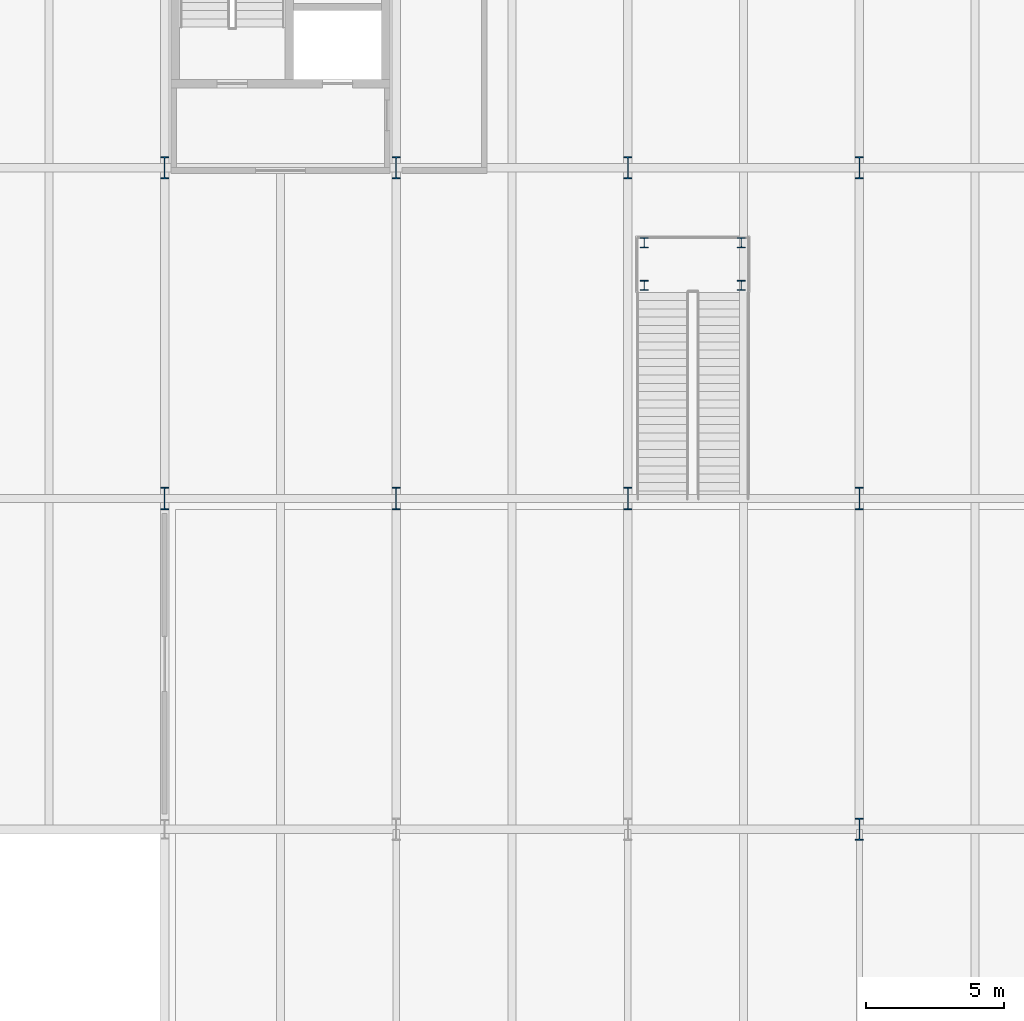
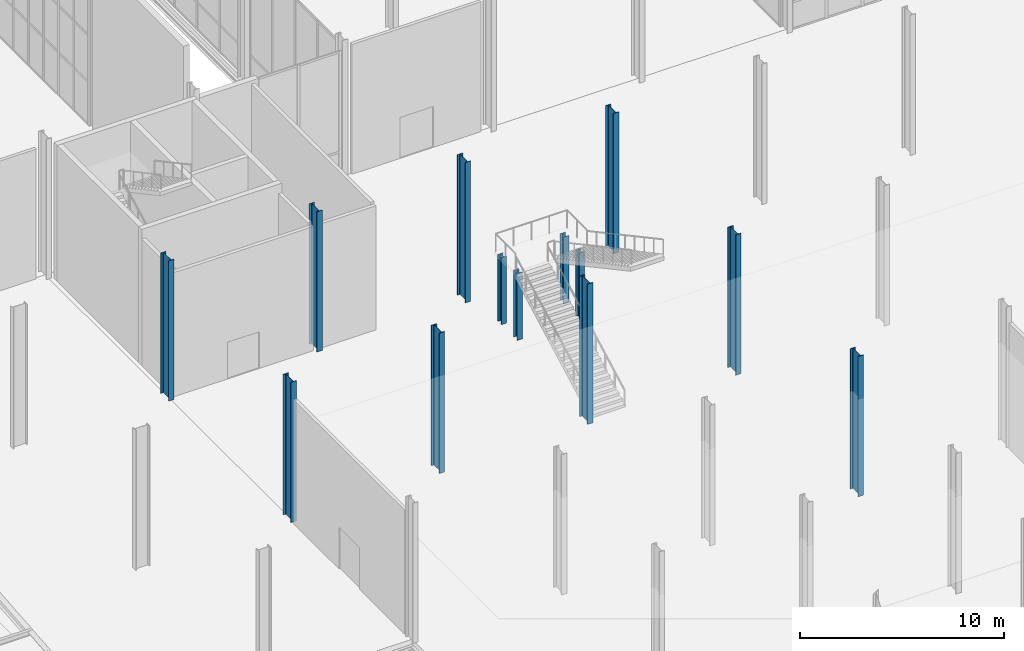
# One storey, part 4 of 131: 13 columns.
"""IFC4 building model written with IfcOpenShell, lengths in metres."""

import ifcopenshell
import ifcopenshell.guid

model = None  # the IFC model being written
_history = None  # IfcOwnerHistory: only IFC2X3 demands one
_inside = {}  # id of a spatial element -> (the spatial element, [elements in it])
_under = {}  # id of a project, library or spatial element -> (it, [spatial elements below it])
_declared = {}  # id of a project -> (the project, [libraries it declares])
_typed = {}  # id of a type object -> (the type object, [elements of that type])
_made_of = {}  # id of a material, layer set ... -> (it, [elements and type objects made of it])


def new_model(schema):
    """Start an empty IFC model of exactly this schema.

    Asked for "IFC4X3", IfcOpenShell would pick the latest addendum, in which some entities
    have other attributes; the version numbers below select the first issue.
    IFC2X3 requires an IfcOwnerHistory on every rooted entity: one is made here for all.
    """
    global model, _history
    if schema == "IFC4X3":
        model = ifcopenshell.file(schema_version=(4, 3, 0, 0))
    else:
        model = ifcopenshell.file(schema=schema)
    _inside.clear()
    _under.clear()
    _declared.clear()
    _typed.clear()
    _made_of.clear()
    _history = None
    if model.schema == "IFC2X3":
        org = make("IfcOrganization", Name="unknown")
        user = make(
            "IfcPersonAndOrganization",
            ThePerson=make("IfcPerson", FamilyName="unknown"),
            TheOrganization=org,
        )
        app = make(
            "IfcApplication",
            ApplicationDeveloper=org,
            Version="unknown",
            ApplicationFullName="unknown",
            ApplicationIdentifier="unknown",
        )
        _history = make(
            "IfcOwnerHistory",
            OwningUser=user,
            OwningApplication=app,
            ChangeAction="ADDED",
            CreationDate=0,
        )
    return model


def make(cls, **values):
    """One entity of the class cls with the attributes given. An attribute that is None is left unset."""
    return model.create_entity(
        cls, **{name: value for name, value in values.items() if value is not None}
    )


def rooted(cls, **values):
    """An entity with a GlobalId (a new one), such as an element, a storey or a relation."""
    return make(cls, GlobalId=ifcopenshell.guid.new(), OwnerHistory=_history, **values)


def si_unit(unit_type, name, prefix=None):
    """IfcSIUnit, for example si_unit("LENGTHUNIT", "METRE", prefix="MILLI")."""
    return make("IfcSIUnit", UnitType=unit_type, Prefix=prefix, Name=name)


def assignment(units):
    """IfcUnitAssignment: the units of a project."""
    return None if units is None else make("IfcUnitAssignment", Units=units)


def point(xyz):
    """IfcCartesianPoint."""
    return None if xyz is None else make("IfcCartesianPoint", Coordinates=xyz)


def direction(xyz):
    """IfcDirection."""
    return None if xyz is None else make("IfcDirection", DirectionRatios=xyz)


def frame(location, z_axis=None, x_axis=None):
    """IfcAxis2Placement3D, a coordinate frame: its origin and axes. An axis left out is left unset."""
    return make(
        "IfcAxis2Placement3D",
        Location=point(location),
        Axis=direction(z_axis),
        RefDirection=direction(x_axis),
    )


def frame_2d(location, x_axis=None):
    """IfcAxis2Placement2D, a coordinate frame in the plane: its origin and x axis."""
    return make(
        "IfcAxis2Placement2D", Location=point(location), RefDirection=direction(x_axis)
    )


def origin():
    """The frame at (0, 0, 0) with its axes left unset."""
    return frame((0.0, 0.0, 0.0))


def origin_2d():
    """The frame at (0, 0) in the plane with its x axis left unset."""
    return frame_2d((0.0, 0.0))


def place(relative_to, where):
    """IfcLocalPlacement: puts the frame where relative to a parent placement (None: the world)."""
    return make(
        "IfcLocalPlacement", PlacementRelTo=relative_to, RelativePlacement=where
    )


def context(
    kind, dimensions, precision=None, world=None, true_north=None, identifier=None
):
    """IfcGeometricRepresentationContext, for example the 3D "Model" context."""
    return make(
        "IfcGeometricRepresentationContext",
        ContextIdentifier=identifier,
        ContextType=kind,
        CoordinateSpaceDimension=dimensions,
        Precision=precision,
        WorldCoordinateSystem=world,
        TrueNorth=true_north,
    )


def subcontext(parent, identifier, kind, view, scale=None):
    """IfcGeometricRepresentationSubContext, for example "Body" below "Model"."""
    return make(
        "IfcGeometricRepresentationSubContext",
        ContextIdentifier=identifier,
        ContextType=kind,
        ParentContext=parent,
        TargetScale=scale,
        TargetView=view,
    )


def project(units=None, contexts=None):
    """IfcProject with its units and contexts."""
    return rooted(
        "IfcProject",
        Name="project",
        RepresentationContexts=contexts,
        UnitsInContext=assignment(units),
    )


def spatial(cls, under=None, at=None, **own):
    """A site, building, storey or space (cls), placed at a placement, below another one or the project."""
    s = rooted(cls, ObjectPlacement=at, **own)
    if under is not None:
        _under.setdefault(under.id(), (under, []))[1].append(s)
    return s


def profile(cls, at=None, kind="AREA", **sizes):
    """A parametric profile (cls). Its sizes go by their IFC names, for example OverallWidth=200.0."""
    return make(cls, ProfileType=kind, Position=at, **sizes)


def i_section(**sizes):
    """IfcIShapeProfileDef."""
    return profile("IfcIShapeProfileDef", **sizes)


def extrude(swept, where, along, depth):
    """IfcExtrudedAreaSolid: the profile swept, set in the frame where, extruded along a direction by depth."""
    return make(
        "IfcExtrudedAreaSolid",
        SweptArea=swept,
        Position=where,
        ExtrudedDirection=direction(along),
        Depth=depth,
    )


def shape(context_of_items, identifier, shape_type, items):
    """IfcShapeRepresentation: the items that make up one representation, for example the "Body"."""
    return make(
        "IfcShapeRepresentation",
        ContextOfItems=context_of_items,
        RepresentationIdentifier=identifier,
        RepresentationType=shape_type,
        Items=items,
    )


def material(Name=None, Category=None):
    """IfcMaterial."""
    return make("IfcMaterial", Name=Name, Category=Category)


def material_profile(
    of_material, cross_section, Name=None, Category=None, Priority=None
):
    """IfcMaterialProfile: a cross section and its material."""
    return make(
        "IfcMaterialProfile",
        Name=Name,
        Material=of_material,
        Profile=cross_section,
        Priority=Priority,
        Category=Category,
    )


def profile_set(profiles, Name=None, composite=None):
    """IfcMaterialProfileSet."""
    return make(
        "IfcMaterialProfileSet",
        Name=Name,
        MaterialProfiles=profiles,
        CompositeProfile=composite,
    )


def made_of(thing, what):
    """Note that an element or type object is made of a material, layer set ...; save() writes the relation."""
    if what is not None:
        _made_of.setdefault(what.id(), (what, []))[1].append(thing)
    return thing


def type_object(cls, material=None, **own):
    """A type object (cls), such as IfcWallType, which elements share."""
    return made_of(rooted(cls, **own), material)


def element(
    cls,
    number,
    at=None,
    inside=None,
    cuts=None,
    type_object=None,
    material=None,
    context=None,
    identifier="Body",
    shape_type=None,
    held_by="IfcProductDefinitionShape",
    body=None,
    shapes=None,
    **own,
):
    """One element of the class cls, such as IfcWall. Its Tag is "e" and its number.

    at: its placement. inside: the storey or other place that contains it. cuts: it is an
    opening in that element (IfcRelVoidsElement). A single representation is given by context,
    identifier, shape_type and body (its items); several are given by shapes. held_by: the class
    of the entity that holds the representations. save() writes the other relations.
    """
    e = rooted(cls, Tag="e%d" % number, ObjectPlacement=at, **own)
    if body is not None:
        shapes = [shape(context, identifier, shape_type, body)]
    if shapes is not None:
        e.Representation = make(held_by, Representations=shapes)
    if inside is not None:
        _inside.setdefault(inside.id(), (inside, []))[1].append(e)
    if cuts is not None:
        rooted(
            "IfcRelVoidsElement", RelatingBuildingElement=cuts, RelatedOpeningElement=e
        )
    if type_object is not None:
        _typed.setdefault(type_object.id(), (type_object, []))[1].append(e)
    return made_of(e, material)


def aggregate(whole, parts):
    """IfcRelAggregates: a whole, such as a stair, and the parts it consists of."""
    return rooted("IfcRelAggregates", RelatingObject=whole, RelatedObjects=parts)


def save(model, path):
    """Write the relations noted so far, then the file.

    IfcRelAggregates (storeys below a building ...), IfcRelContainedInSpatialStructure (elements
    in a storey), IfcRelDefinesByType, IfcRelAssociatesMaterial and IfcRelDeclares: one each for
    every whole, place, type object, material and project.
    """
    for whole, parts in _under.values():
        aggregate(whole, parts)
    for where, things in _inside.values():
        rooted(
            "IfcRelContainedInSpatialStructure",
            RelatedElements=things,
            RelatingStructure=where,
        )
    for kind, things in _typed.values():
        rooted("IfcRelDefinesByType", RelatedObjects=things, RelatingType=kind)
    for what, things in _made_of.values():
        rooted("IfcRelAssociatesMaterial", RelatedObjects=things, RelatingMaterial=what)
    for by, libraries in _declared.values():
        rooted("IfcRelDeclares", RelatingContext=by, RelatedDefinitions=libraries)
    model.write(path)


model = new_model("IFC4")

# Units and contexts
model_context = context("Model", 3, precision=1e-05, world=origin(), true_north=direction((0.0, 1.0)))
body_context = subcontext(model_context, "Body", "Model", "MODEL_VIEW")
ifc_project = project(units=[si_unit("LENGTHUNIT", "METRE"), si_unit("AREAUNIT", "SQUARE_METRE"), si_unit("VOLUMEUNIT", "CUBIC_METRE"), si_unit("PLANEANGLEUNIT", "RADIAN"), si_unit("MASSUNIT", "GRAM", prefix="KILO")], contexts=[model_context])

# Site, building, storey
site_placement = place(None, origin())
site = spatial("IfcSite", under=ifc_project, at=site_placement, CompositionType="ELEMENT")
building_placement = place(site_placement, origin())
building = spatial("IfcBuilding", under=site, at=building_placement, Name="Veltarok Museum of Natural Sciences", CompositionType="ELEMENT")
storey_placement = place(building_placement, origin())
storey = spatial("IfcBuildingStorey", under=building, at=storey_placement, Name="L00", CompositionType="ELEMENT", Elevation=0.0)

# Columns
ifc_material = material(Name="Steel S355J2", Category="steel")
ifc_material_profile_1 = material_profile(ifc_material, i_section(OverallWidth=0.300048828125, OverallDepth=0.800048828125, WebThickness=0.017578125, FlangeThickness=0.032958984375, FilletRadius=0.030029296875, at=origin_2d()), Name="HEB 800")
ifc_profile_set_1 = profile_set([ifc_material_profile_1], Name="Steel S355J2")
column_type_1 = type_object("IfcColumnType", Name="Primary Frame Column HEB 800", PredefinedType="COLUMN", material=ifc_profile_set_1)
for number, where, z_axis, x_axis, name in (
    (1, (40.0, 48.0, 0.0), (0.0, 0.0, 1.0), (1.0, 0.0, 0.0), "Column COL-S02 L00 5/F"),
    (2, (40.0, 60.0, 0.0), (0.0, 0.0, 1.0), (1.0, 0.0, 0.0), "Column COL-S02 L00 5/G"),
    (3, (48.39990234375, 48.0, 0.0), (0.0, 0.0, 1.0), (1.0, 0.0, 0.0), "Column COL-S02 L00 6/F"),
    (4, (48.39990234375, 60.0, 0.0), (0.0, 0.0, 1.0), (1.0, 0.0, 0.0), "Column COL-S02 L00 6/G"),
    (5, (56.800048828125, 48.0, 0.0), (0.0, 0.0, 1.0), (1.0, 0.0, 0.0), "Column COL-S02 L00 7/F"),
    (6, (56.800048828125, 60.0, 0.0), (0.0, 0.0, 1.0), (1.0, 0.0, 0.0), "Column COL-S02 L00 7/G"),
    (7, (65.199951171875, 36.0, 0.0), (0.0, 0.0, 1.0), (1.0, 0.0, 0.0), "Column COL-S02 L00 8/E"),
    (8, (65.199951171875, 48.0, 0.0), (0.0, 0.0, 1.0), (1.0, 0.0, 0.0), "Column COL-S02 L00 8/F"),
    (9, (65.199951171875, 60.0, 0.0), (0.0, 0.0, 1.0), (1.0, 0.0, 0.0), "Column COL-S02 L00 8/G"),
):
    element("IfcColumn", number, at=place(storey_placement, frame(where, z_axis=z_axis, x_axis=x_axis)), inside=storey, type_object=column_type_1, Name=name, PredefinedType="COLUMN", context=body_context, shape_type="SweptSolid", body=[
        extrude(i_section(OverallWidth=0.300048828125, OverallDepth=0.800048828125, WebThickness=0.017578125, FlangeThickness=0.032958984375, FilletRadius=0.030029296875, at=origin_2d()), origin(), (0.0, 0.0, 1.0), 8.39990234375),
    ])
ifc_material_profile_2 = material_profile(ifc_material, i_section(OverallWidth=0.300048828125, OverallDepth=0.360107421875, WebThickness=0.012451171875, FlangeThickness=0.0224609375, FilletRadius=0.027099609375, at=origin_2d()), Name="HEB 360")
ifc_profile_set_2 = profile_set([ifc_material_profile_2], Name="Steel S355J2")
column_type_2 = type_object("IfcColumnType", Name="Secondary Hall Column HEB 360", PredefinedType="COLUMN", material=ifc_profile_set_2)
for number, where, z_axis, x_axis, name in (
    (10, (57.39990234375, 55.72998046875, 0.0), (0.0, 0.0, 1.0), (1.0, 0.0, 0.0), "Atrium Stair Landing Column 1"),
    (11, (60.919921875, 55.72998046875, 0.0), (0.0, 0.0, 1.0), (1.0, 0.0, 0.0), "Atrium Stair Landing Column 2"),
    (12, (57.39990234375, 57.280029296875, 0.0), (0.0, 0.0, 1.0), (1.0, 0.0, 0.0), "Atrium Stair Landing Column 3"),
    (13, (60.919921875, 57.280029296875, 0.0), (0.0, 0.0, 1.0), (1.0, 0.0, 0.0), "Atrium Stair Landing Column 4"),
):
    element("IfcColumn", number, at=place(storey_placement, frame(where, z_axis=z_axis, x_axis=x_axis)), inside=storey, type_object=column_type_2, Name=name, PredefinedType="COLUMN", context=body_context, shape_type="SweptSolid", body=[
        extrude(i_section(OverallWidth=0.300048828125, OverallDepth=0.360107421875, WebThickness=0.012451171875, FlangeThickness=0.0224609375, FilletRadius=0.027099609375, at=origin_2d()), origin(), (0.0, 0.0, 1.0), 4.0),
    ])

save(model, "model.ifc")
